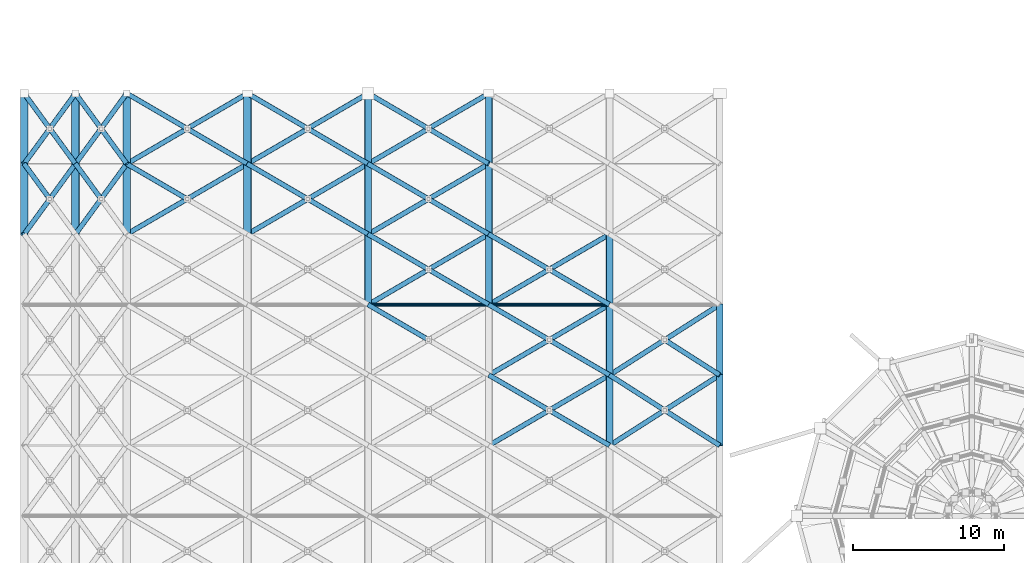
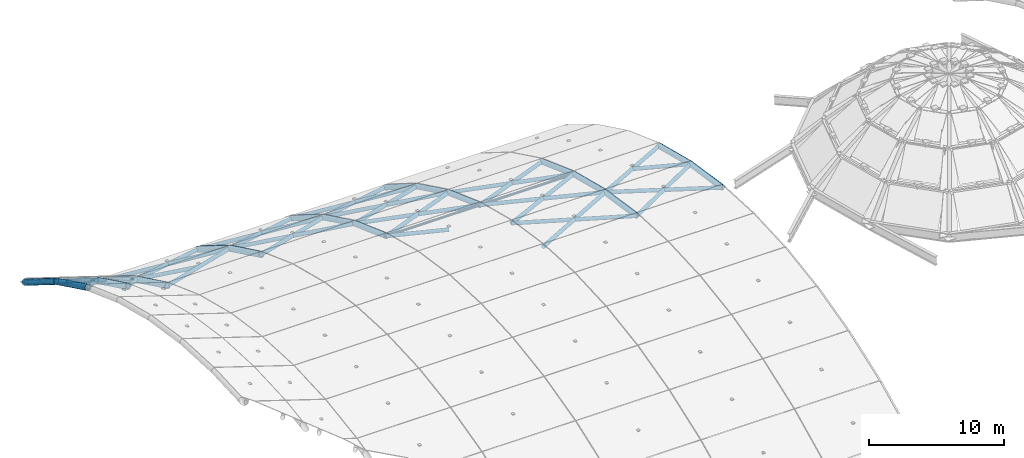
# One storey, part 6 of 21: 66 members.
"""IFC4 building model written with IfcOpenShell, lengths in metres."""

import ifcopenshell
import ifcopenshell.guid

model = None  # the IFC model being written
_history = None  # IfcOwnerHistory: only IFC2X3 demands one
_inside = {}  # id of a spatial element -> (the spatial element, [elements in it])
_under = {}  # id of a project, library or spatial element -> (it, [spatial elements below it])
_declared = {}  # id of a project -> (the project, [libraries it declares])
_typed = {}  # id of a type object -> (the type object, [elements of that type])
_made_of = {}  # id of a material, layer set ... -> (it, [elements and type objects made of it])


def new_model(schema):
    """Start an empty IFC model of exactly this schema.

    Asked for "IFC4X3", IfcOpenShell would pick the latest addendum, in which some entities
    have other attributes; the version numbers below select the first issue.
    IFC2X3 requires an IfcOwnerHistory on every rooted entity: one is made here for all.
    """
    global model, _history
    if schema == "IFC4X3":
        model = ifcopenshell.file(schema_version=(4, 3, 0, 0))
    else:
        model = ifcopenshell.file(schema=schema)
    _inside.clear()
    _under.clear()
    _declared.clear()
    _typed.clear()
    _made_of.clear()
    _history = None
    if model.schema == "IFC2X3":
        org = make("IfcOrganization", Name="unknown")
        user = make(
            "IfcPersonAndOrganization",
            ThePerson=make("IfcPerson", FamilyName="unknown"),
            TheOrganization=org,
        )
        app = make(
            "IfcApplication",
            ApplicationDeveloper=org,
            Version="unknown",
            ApplicationFullName="unknown",
            ApplicationIdentifier="unknown",
        )
        _history = make(
            "IfcOwnerHistory",
            OwningUser=user,
            OwningApplication=app,
            ChangeAction="ADDED",
            CreationDate=0,
        )
    return model


def make(cls, **values):
    """One entity of the class cls with the attributes given. An attribute that is None is left unset."""
    return model.create_entity(
        cls, **{name: value for name, value in values.items() if value is not None}
    )


def rooted(cls, **values):
    """An entity with a GlobalId (a new one), such as an element, a storey or a relation."""
    return make(cls, GlobalId=ifcopenshell.guid.new(), OwnerHistory=_history, **values)


def si_unit(unit_type, name, prefix=None):
    """IfcSIUnit, for example si_unit("LENGTHUNIT", "METRE", prefix="MILLI")."""
    return make("IfcSIUnit", UnitType=unit_type, Prefix=prefix, Name=name)


def assignment(units):
    """IfcUnitAssignment: the units of a project."""
    return None if units is None else make("IfcUnitAssignment", Units=units)


def point(xyz):
    """IfcCartesianPoint."""
    return None if xyz is None else make("IfcCartesianPoint", Coordinates=xyz)


def direction(xyz):
    """IfcDirection."""
    return None if xyz is None else make("IfcDirection", DirectionRatios=xyz)


def frame(location, z_axis=None, x_axis=None):
    """IfcAxis2Placement3D, a coordinate frame: its origin and axes. An axis left out is left unset."""
    return make(
        "IfcAxis2Placement3D",
        Location=point(location),
        Axis=direction(z_axis),
        RefDirection=direction(x_axis),
    )


def frame_2d(location, x_axis=None):
    """IfcAxis2Placement2D, a coordinate frame in the plane: its origin and x axis."""
    return make(
        "IfcAxis2Placement2D", Location=point(location), RefDirection=direction(x_axis)
    )


def origin():
    """The frame at (0, 0, 0) with its axes left unset."""
    return frame((0.0, 0.0, 0.0))


def origin_2d():
    """The frame at (0, 0) in the plane with its x axis left unset."""
    return frame_2d((0.0, 0.0))


def place(relative_to, where):
    """IfcLocalPlacement: puts the frame where relative to a parent placement (None: the world)."""
    return make(
        "IfcLocalPlacement", PlacementRelTo=relative_to, RelativePlacement=where
    )


def context(
    kind, dimensions, precision=None, world=None, true_north=None, identifier=None
):
    """IfcGeometricRepresentationContext, for example the 3D "Model" context."""
    return make(
        "IfcGeometricRepresentationContext",
        ContextIdentifier=identifier,
        ContextType=kind,
        CoordinateSpaceDimension=dimensions,
        Precision=precision,
        WorldCoordinateSystem=world,
        TrueNorth=true_north,
    )


def subcontext(parent, identifier, kind, view, scale=None):
    """IfcGeometricRepresentationSubContext, for example "Body" below "Model"."""
    return make(
        "IfcGeometricRepresentationSubContext",
        ContextIdentifier=identifier,
        ContextType=kind,
        ParentContext=parent,
        TargetScale=scale,
        TargetView=view,
    )


def project(units=None, contexts=None):
    """IfcProject with its units and contexts."""
    return rooted(
        "IfcProject",
        Name="project",
        RepresentationContexts=contexts,
        UnitsInContext=assignment(units),
    )


def spatial(cls, under=None, at=None, **own):
    """A site, building, storey or space (cls), placed at a placement, below another one or the project."""
    s = rooted(cls, ObjectPlacement=at, **own)
    if under is not None:
        _under.setdefault(under.id(), (under, []))[1].append(s)
    return s


def profile(cls, at=None, kind="AREA", **sizes):
    """A parametric profile (cls). Its sizes go by their IFC names, for example OverallWidth=200.0."""
    return make(cls, ProfileType=kind, Position=at, **sizes)


def hollow_circle(**sizes):
    """IfcCircleHollowProfileDef."""
    return profile("IfcCircleHollowProfileDef", **sizes)


def extrude(swept, where, along, depth):
    """IfcExtrudedAreaSolid: the profile swept, set in the frame where, extruded along a direction by depth."""
    return make(
        "IfcExtrudedAreaSolid",
        SweptArea=swept,
        Position=where,
        ExtrudedDirection=direction(along),
        Depth=depth,
    )


def shape(context_of_items, identifier, shape_type, items):
    """IfcShapeRepresentation: the items that make up one representation, for example the "Body"."""
    return make(
        "IfcShapeRepresentation",
        ContextOfItems=context_of_items,
        RepresentationIdentifier=identifier,
        RepresentationType=shape_type,
        Items=items,
    )


def material(Name=None, Category=None):
    """IfcMaterial."""
    return make("IfcMaterial", Name=Name, Category=Category)


def material_profile(
    of_material, cross_section, Name=None, Category=None, Priority=None
):
    """IfcMaterialProfile: a cross section and its material."""
    return make(
        "IfcMaterialProfile",
        Name=Name,
        Material=of_material,
        Profile=cross_section,
        Priority=Priority,
        Category=Category,
    )


def profile_set(profiles, Name=None, composite=None):
    """IfcMaterialProfileSet."""
    return make(
        "IfcMaterialProfileSet",
        Name=Name,
        MaterialProfiles=profiles,
        CompositeProfile=composite,
    )


def made_of(thing, what):
    """Note that an element or type object is made of a material, layer set ...; save() writes the relation."""
    if what is not None:
        _made_of.setdefault(what.id(), (what, []))[1].append(thing)
    return thing


def type_object(cls, material=None, **own):
    """A type object (cls), such as IfcWallType, which elements share."""
    return made_of(rooted(cls, **own), material)


def element(
    cls,
    number,
    at=None,
    inside=None,
    cuts=None,
    type_object=None,
    material=None,
    context=None,
    identifier="Body",
    shape_type=None,
    held_by="IfcProductDefinitionShape",
    body=None,
    shapes=None,
    **own,
):
    """One element of the class cls, such as IfcWall. Its Tag is "e" and its number.

    at: its placement. inside: the storey or other place that contains it. cuts: it is an
    opening in that element (IfcRelVoidsElement). A single representation is given by context,
    identifier, shape_type and body (its items); several are given by shapes. held_by: the class
    of the entity that holds the representations. save() writes the other relations.
    """
    e = rooted(cls, Tag="e%d" % number, ObjectPlacement=at, **own)
    if body is not None:
        shapes = [shape(context, identifier, shape_type, body)]
    if shapes is not None:
        e.Representation = make(held_by, Representations=shapes)
    if inside is not None:
        _inside.setdefault(inside.id(), (inside, []))[1].append(e)
    if cuts is not None:
        rooted(
            "IfcRelVoidsElement", RelatingBuildingElement=cuts, RelatedOpeningElement=e
        )
    if type_object is not None:
        _typed.setdefault(type_object.id(), (type_object, []))[1].append(e)
    return made_of(e, material)


def aggregate(whole, parts):
    """IfcRelAggregates: a whole, such as a stair, and the parts it consists of."""
    return rooted("IfcRelAggregates", RelatingObject=whole, RelatedObjects=parts)


def save(model, path):
    """Write the relations noted so far, then the file.

    IfcRelAggregates (storeys below a building ...), IfcRelContainedInSpatialStructure (elements
    in a storey), IfcRelDefinesByType, IfcRelAssociatesMaterial and IfcRelDeclares: one each for
    every whole, place, type object, material and project.
    """
    for whole, parts in _under.values():
        aggregate(whole, parts)
    for where, things in _inside.values():
        rooted(
            "IfcRelContainedInSpatialStructure",
            RelatedElements=things,
            RelatingStructure=where,
        )
    for kind, things in _typed.values():
        rooted("IfcRelDefinesByType", RelatedObjects=things, RelatingType=kind)
    for what, things in _made_of.values():
        rooted("IfcRelAssociatesMaterial", RelatedObjects=things, RelatingMaterial=what)
    for by, libraries in _declared.values():
        rooted("IfcRelDeclares", RelatingContext=by, RelatedDefinitions=libraries)
    model.write(path)


model = new_model("IFC4")

# Units and contexts
model_context = context("Model", 3, precision=1e-05, world=origin(), true_north=direction((0.0, 1.0)))
body_context = subcontext(model_context, "Body", "Model", "MODEL_VIEW")
ifc_project = project(units=[si_unit("LENGTHUNIT", "METRE"), si_unit("AREAUNIT", "SQUARE_METRE"), si_unit("VOLUMEUNIT", "CUBIC_METRE"), si_unit("PLANEANGLEUNIT", "RADIAN"), si_unit("MASSUNIT", "GRAM", prefix="KILO")], contexts=[model_context])

# Site, building, storey
site_placement = place(None, origin())
site = spatial("IfcSite", under=ifc_project, at=site_placement, CompositionType="ELEMENT")
building_placement = place(site_placement, origin())
building = spatial("IfcBuilding", under=site, at=building_placement, Name="Solmirada Galleria", CompositionType="ELEMENT")
storey_placement = place(building_placement, frame((0.0, 0.0, 37.5)))
storey = spatial("IfcBuildingStorey", under=building, at=storey_placement, Name="RF", CompositionType="ELEMENT", Elevation=37.5)

# Members
ifc_material = material(Name="Steel S355 / ASTM A500 Grade C", Category="steel")
ifc_material_profile_1 = material_profile(ifc_material, hollow_circle(Radius=0.109619140625, WallThickness=0.007568359375, at=origin_2d()), Name="HSS8.625X0.322")
ifc_profile_set_1 = profile_set([ifc_material_profile_1], Name="Steel S355 / ASTM A500 Grade C")
member_type_1 = type_object("IfcMemberType", Name="MEM-DOME-PURL", PredefinedType="PURLIN", material=ifc_profile_set_1)
for number, where, z_axis, x_axis, name in (
    (1, (56.0, 74.0, -2.471923828125), (1.0, 0.0, 0.0), (0.0, 1.0, 0.0), "Barrel gridshell longitudinal tie W04-09"),
    (2, (64.0, 74.0, -2.471923828125), (1.0, 0.0, 0.0), (0.0, 1.0, 0.0), "Barrel gridshell longitudinal tie W05-09"),
):
    element("IfcMember", number, at=place(storey_placement, frame(where, z_axis=z_axis, x_axis=x_axis)), inside=storey, type_object=member_type_1, Name=name, PredefinedType="PURLIN", context=body_context, shape_type="SweptSolid", body=[
        extrude(hollow_circle(Radius=0.109619140625, WallThickness=0.007568359375, at=origin_2d()), origin(), (0.0, 0.0, 1.0), 8.0),
    ])
ifc_material_profile_2 = material_profile(ifc_material, hollow_circle(Radius=0.25390625, WallThickness=0.01171875, at=origin_2d()), Name="HSS20.000X0.500")
ifc_profile_set_2 = profile_set([ifc_material_profile_2], Name="Steel S355 / ASTM A500 Grade C")
member_type_2 = type_object("IfcMemberType", Name="MEM-VAULT-ARCH1", PredefinedType="RAFTER", material=ifc_profile_set_2)
member_1_placement = place(storey_placement, frame((33.199951171875, 78.666748046875, -1.972412109375), z_axis=(0.0, 0.899303609311, -0.437324842971), x_axis=(-1.0, 0.0, 0.0)))
element("IfcMember", 3, at=member_1_placement, inside=storey, type_object=member_type_2, Name="Barrel vault arch rib W00-10", PredefinedType="RAFTER", context=body_context, shape_type="SweptSolid", body=[
    extrude(hollow_circle(Radius=0.25390625, WallThickness=0.01171875, at=origin_2d()), origin(), (0.0, 0.0, 1.0), 5.18896484375),
])
member_2_placement = place(storey_placement, frame((33.199951171875, 83.333251953125, -4.24169921875), z_axis=(0.0, 0.847876176286, -0.530194294279), x_axis=(-1.0, 0.0, 0.0)))
element("IfcMember", 4, at=member_2_placement, inside=storey, type_object=member_type_2, Name="Barrel vault arch rib W00-11", PredefinedType="RAFTER", context=body_context, shape_type="SweptSolid", body=[
    extrude(hollow_circle(Radius=0.25390625, WallThickness=0.01171875, at=origin_2d()), origin(), (0.0, 0.0, 1.0), 5.504150390625),
])
member_3_placement = place(storey_placement, frame((36.60009765625, 78.666748046875, -3.072509765625), z_axis=(0.0, 0.899322112871, -0.437286790678), x_axis=(-1.0, 0.0, 0.0)))
element("IfcMember", 5, at=member_3_placement, inside=storey, type_object=member_type_2, Name="Barrel vault arch rib W01-10", PredefinedType="RAFTER", context=body_context, shape_type="SweptSolid", body=[
    extrude(hollow_circle(Radius=0.25390625, WallThickness=0.01171875, at=origin_2d()), origin(), (0.0, 0.0, 1.0), 5.18896484375),
])
member_4_placement = place(storey_placement, frame((36.60009765625, 83.333251953125, -5.341552734375), z_axis=(0.0, 0.847856236134, -0.53022618084), x_axis=(-1.0, 0.0, 0.0)))
element("IfcMember", 6, at=member_4_placement, inside=storey, type_object=member_type_2, Name="Barrel vault arch rib W01-11", PredefinedType="RAFTER", context=body_context, shape_type="SweptSolid", body=[
    extrude(hollow_circle(Radius=0.25390625, WallThickness=0.01171875, at=origin_2d()), origin(), (0.0, 0.0, 1.0), 5.504150390625),
])
member_5_placement = place(storey_placement, frame((40.0, 78.666748046875, -4.17236328125), z_axis=(0.0, 0.899303609311, -0.437324842971), x_axis=(-1.0, 0.0, 0.0)))
element("IfcMember", 7, at=member_5_placement, inside=storey, type_object=member_type_2, Name="Barrel vault arch rib W02-10", PredefinedType="RAFTER", context=body_context, shape_type="SweptSolid", body=[
    extrude(hollow_circle(Radius=0.25390625, WallThickness=0.01171875, at=origin_2d()), origin(), (0.0, 0.0, 1.0), 5.18896484375),
])
member_6_placement = place(storey_placement, frame((40.0, 83.333251953125, -6.441650390625), z_axis=(0.0, 0.847856236134, -0.53022618084), x_axis=(-1.0, 0.0, 0.0)))
element("IfcMember", 8, at=member_6_placement, inside=storey, type_object=member_type_2, Name="Barrel vault arch rib W02-11", PredefinedType="RAFTER", context=body_context, shape_type="SweptSolid", body=[
    extrude(hollow_circle(Radius=0.25390625, WallThickness=0.01171875, at=origin_2d()), origin(), (0.0, 0.0, 1.0), 5.504150390625),
])
member_7_placement = place(storey_placement, frame((48.0, 78.666748046875, -4.17236328125), z_axis=(0.0, 0.899303609311, -0.437324842971), x_axis=(-1.0, 0.0, 0.0)))
element("IfcMember", 9, at=member_7_placement, inside=storey, type_object=member_type_2, Name="Barrel vault arch rib W03-10", PredefinedType="RAFTER", context=body_context, shape_type="SweptSolid", body=[
    extrude(hollow_circle(Radius=0.25390625, WallThickness=0.01171875, at=origin_2d()), origin(), (0.0, 0.0, 1.0), 5.18896484375),
])
member_8_placement = place(storey_placement, frame((48.0, 83.333251953125, -6.441650390625), z_axis=(0.0, 0.847856236134, -0.53022618084), x_axis=(-1.0, 0.0, 0.0)))
element("IfcMember", 10, at=member_8_placement, inside=storey, type_object=member_type_2, Name="Barrel vault arch rib W03-11", PredefinedType="RAFTER", context=body_context, shape_type="SweptSolid", body=[
    extrude(hollow_circle(Radius=0.25390625, WallThickness=0.01171875, at=origin_2d()), origin(), (0.0, 0.0, 1.0), 5.504150390625),
])
ifc_material_profile_3 = material_profile(ifc_material, hollow_circle(Radius=0.228515625, WallThickness=0.01171875, at=origin_2d()), Name="HSS18.000X0.500")
ifc_profile_set_3 = profile_set([ifc_material_profile_3], Name="Steel S355 / ASTM A500 Grade C")
member_type_3 = type_object("IfcMemberType", Name="MEM-VAULT-ARCH2", PredefinedType="RAFTER", material=ifc_profile_set_3)
member_9_placement = place(storey_placement, frame((56.0, 74.0, -2.471923828125), z_axis=(0.0, 0.939570777515, -0.342354719612), x_axis=(-1.0, 0.0, 0.0)))
element("IfcMember", 11, at=member_9_placement, inside=storey, type_object=member_type_3, Name="Barrel vault arch rib W04-09", PredefinedType="RAFTER", context=body_context, shape_type="SweptSolid", body=[
    extrude(hollow_circle(Radius=0.228515625, WallThickness=0.01171875, at=origin_2d()), origin(), (0.0, 0.0, 1.0), 4.966796875),
])
member_10_placement = place(storey_placement, frame((56.0, 78.666748046875, -4.17236328125), z_axis=(0.0, 0.899303609311, -0.437324842971), x_axis=(-1.0, 0.0, 0.0)))
element("IfcMember", 12, at=member_10_placement, inside=storey, type_object=member_type_3, Name="Barrel vault arch rib W04-10", PredefinedType="RAFTER", context=body_context, shape_type="SweptSolid", body=[
    extrude(hollow_circle(Radius=0.228515625, WallThickness=0.01171875, at=origin_2d()), origin(), (0.0, 0.0, 1.0), 5.18896484375),
])
member_11_placement = place(storey_placement, frame((56.0, 83.333251953125, -6.441650390625), z_axis=(0.0, 0.847856236134, -0.53022618084), x_axis=(-1.0, 0.0, 0.0)))
element("IfcMember", 13, at=member_11_placement, inside=storey, type_object=member_type_3, Name="Barrel vault arch rib W04-11", PredefinedType="RAFTER", context=body_context, shape_type="SweptSolid", body=[
    extrude(hollow_circle(Radius=0.228515625, WallThickness=0.01171875, at=origin_2d()), origin(), (0.0, 0.0, 1.0), 5.504150390625),
])
member_12_placement = place(storey_placement, frame((64.0, 74.0, -2.471923828125), z_axis=(0.0, 0.939570777515, -0.342354719612), x_axis=(-1.0, 0.0, 0.0)))
element("IfcMember", 14, at=member_12_placement, inside=storey, type_object=member_type_3, Name="Barrel vault arch rib W05-09", PredefinedType="RAFTER", context=body_context, shape_type="SweptSolid", body=[
    extrude(hollow_circle(Radius=0.228515625, WallThickness=0.01171875, at=origin_2d()), origin(), (0.0, 0.0, 1.0), 4.966796875),
])
member_13_placement = place(storey_placement, frame((64.0, 78.666748046875, -4.17236328125), z_axis=(0.0, 0.899303609311, -0.437324842971), x_axis=(-1.0, 0.0, 0.0)))
element("IfcMember", 15, at=member_13_placement, inside=storey, type_object=member_type_3, Name="Barrel vault arch rib W05-10", PredefinedType="RAFTER", context=body_context, shape_type="SweptSolid", body=[
    extrude(hollow_circle(Radius=0.228515625, WallThickness=0.01171875, at=origin_2d()), origin(), (0.0, 0.0, 1.0), 5.18896484375),
])
member_14_placement = place(storey_placement, frame((64.0, 83.333251953125, -6.441650390625), z_axis=(0.0, 0.847856236134, -0.53022618084), x_axis=(-1.0, 0.0, 0.0)))
element("IfcMember", 16, at=member_14_placement, inside=storey, type_object=member_type_3, Name="Barrel vault arch rib W05-11", PredefinedType="RAFTER", context=body_context, shape_type="SweptSolid", body=[
    extrude(hollow_circle(Radius=0.228515625, WallThickness=0.01171875, at=origin_2d()), origin(), (0.0, 0.0, 1.0), 5.504150390625),
])
member_15_placement = place(storey_placement, frame((72.0, 64.666748046875, -0.5908203125), z_axis=(0.0, 0.988997751156, -0.14793055198), x_axis=(-1.0, 0.0, 0.0)))
element("IfcMember", 17, at=member_15_placement, inside=storey, type_object=member_type_3, Name="Barrel vault arch rib W06-07", PredefinedType="RAFTER", context=body_context, shape_type="SweptSolid", body=[
    extrude(hollow_circle(Radius=0.228515625, WallThickness=0.01171875, at=origin_2d()), origin(), (0.0, 0.0, 1.0), 4.718505859375),
])
member_16_placement = place(storey_placement, frame((72.0, 69.333251953125, -1.288818359375), z_axis=(0.0, 0.969334768515, -0.245743985782), x_axis=(-1.0, 0.0, 0.0)))
element("IfcMember", 18, at=member_16_placement, inside=storey, type_object=member_type_3, Name="Barrel vault arch rib W06-08", PredefinedType="RAFTER", context=body_context, shape_type="SweptSolid", body=[
    extrude(hollow_circle(Radius=0.228515625, WallThickness=0.01171875, at=origin_2d()), origin(), (0.0, 0.0, 1.0), 4.814453125),
])
member_17_placement = place(storey_placement, frame((72.0, 74.0, -2.471923828125), z_axis=(0.0, 0.939570777515, -0.342354719612), x_axis=(-1.0, 0.0, 0.0)))
element("IfcMember", 19, at=member_17_placement, inside=storey, type_object=member_type_3, Name="Barrel vault arch rib W06-09", PredefinedType="RAFTER", context=body_context, shape_type="SweptSolid", body=[
    extrude(hollow_circle(Radius=0.228515625, WallThickness=0.01171875, at=origin_2d()), origin(), (0.0, 0.0, 1.0), 4.966796875),
])
member_18_placement = place(storey_placement, frame((79.300048828125, 64.666748046875, -0.5908203125), z_axis=(0.0, 0.988997751156, -0.14793055198), x_axis=(-1.0, 0.0, 0.0)))
element("IfcMember", 20, at=member_18_placement, inside=storey, type_object=member_type_3, Name="Barrel vault arch rib W07-07", PredefinedType="RAFTER", context=body_context, shape_type="SweptSolid", body=[
    extrude(hollow_circle(Radius=0.228515625, WallThickness=0.01171875, at=origin_2d()), origin(), (0.0, 0.0, 1.0), 4.718505859375),
])
member_19_placement = place(storey_placement, frame((79.300048828125, 69.333251953125, -1.288818359375), z_axis=(0.0, 0.969334768515, -0.245743985782), x_axis=(-1.0, 0.0, 0.0)))
element("IfcMember", 21, at=member_19_placement, inside=storey, type_object=member_type_3, Name="Barrel vault arch rib W07-08", PredefinedType="RAFTER", context=body_context, shape_type="SweptSolid", body=[
    extrude(hollow_circle(Radius=0.228515625, WallThickness=0.01171875, at=origin_2d()), origin(), (0.0, 0.0, 1.0), 4.814453125),
])
ifc_material_profile_4 = material_profile(ifc_material, hollow_circle(Radius=0.162109375, WallThickness=0.0087890625, at=origin_2d()), Name="HSS12.750X0.375")
ifc_profile_set_4 = profile_set([ifc_material_profile_4], Name="Steel S355 / ASTM A500 Grade C")
member_type_4 = type_object("IfcMemberType", Name="MEM-VAULT-DIAG", PredefinedType="BRACE", material=ifc_profile_set_4)
member_20_placement = place(storey_placement, frame((33.199951171875, 78.666748046875, -1.972412109375), z_axis=(0.508628161999, 0.698062661625, -0.503989993221), x_axis=(-0.808214646261, 0.588888007663, 0.0)))
element("IfcMember", 22, at=member_20_placement, inside=storey, type_object=member_type_4, Name="Barrel gridshell continuous diagonal W00-10", PredefinedType="BRACE", context=body_context, shape_type="SweptSolid", body=[
    extrude(hollow_circle(Radius=0.162109375, WallThickness=0.0087890625, at=origin_2d()), origin(), (0.0, 0.0, 1.0), 6.684814453125),
])
member_21_placement = place(storey_placement, frame((33.199951171875, 83.333251953125, -4.24169921875), z_axis=(0.577140925583, -0.792149335889, 0.198513933185), x_axis=(0.808234771228, 0.58886038632, 0.0)))
element("IfcMember", 23, at=member_21_placement, inside=storey, type_object=member_type_4, Name="Barrel gridshell split diagonal B1 W00-10", PredefinedType="BRACE", context=body_context, shape_type="SweptSolid", body=[
    extrude(hollow_circle(Radius=0.162109375, WallThickness=0.0087890625, at=origin_2d()), origin(), (0.0, 0.0, 1.0), 2.945556640625),
])
member_22_placement = place(storey_placement, frame((33.199951171875, 83.333251953125, -4.24169921875), z_axis=(0.483342409582, 0.663394137945, -0.571216537611), x_axis=(-0.808229309107, 0.58886788323, 0.0)))
element("IfcMember", 24, at=member_22_placement, inside=storey, type_object=member_type_4, Name="Barrel gridshell continuous diagonal W00-11", PredefinedType="BRACE", context=body_context, shape_type="SweptSolid", body=[
    extrude(hollow_circle(Radius=0.162109375, WallThickness=0.0087890625, at=origin_2d()), origin(), (0.0, 0.0, 1.0), 7.03466796875),
])
member_23_placement = place(storey_placement, frame((33.199951171875, 88.0, -7.159912109375), z_axis=(0.561664152849, -0.770906837395, 0.30039312153), x_axis=(0.808234771228, 0.58886038632, 0.0)))
element("IfcMember", 25, at=member_23_placement, inside=storey, type_object=member_type_4, Name="Barrel gridshell split diagonal B1 W00-11", PredefinedType="BRACE", context=body_context, shape_type="SweptSolid", body=[
    extrude(hollow_circle(Radius=0.162109375, WallThickness=0.0087890625, at=origin_2d()), origin(), (0.0, 0.0, 1.0), 3.026611328125),
])
member_24_placement = place(storey_placement, frame((34.89990234375, 85.666748046875, -6.250732421875), z_axis=(0.561684440721, -0.7709046359, 0.300360835331), x_axis=(0.808223847562, 0.588875379203, 0.0)))
element("IfcMember", 26, at=member_24_placement, inside=storey, type_object=member_type_4, Name="Barrel gridshell split diagonal B2 W00-11", PredefinedType="BRACE", context=body_context, shape_type="SweptSolid", body=[
    extrude(hollow_circle(Radius=0.162109375, WallThickness=0.0087890625, at=origin_2d()), origin(), (0.0, 0.0, 1.0), 3.02685546875),
])
member_25_placement = place(storey_placement, frame((36.60009765625, 78.666748046875, -3.072509765625), z_axis=(0.508601088312, 0.698075628465, -0.50399935507), x_axis=(-0.808234771228, 0.58886038632, 0.0)))
element("IfcMember", 27, at=member_25_placement, inside=storey, type_object=member_type_4, Name="Barrel gridshell continuous diagonal W01-10", PredefinedType="BRACE", context=body_context, shape_type="SweptSolid", body=[
    extrude(hollow_circle(Radius=0.162109375, WallThickness=0.0087890625, at=origin_2d()), origin(), (0.0, 0.0, 1.0), 6.684814453125),
])
member_26_placement = place(storey_placement, frame((36.60009765625, 83.333251953125, -5.341552734375), z_axis=(0.57715042022, -0.792162367664, 0.198434310787), x_axis=(0.808234771228, 0.58886038632, 0.0)))
element("IfcMember", 28, at=member_26_placement, inside=storey, type_object=member_type_4, Name="Barrel gridshell split diagonal B1 W01-10", PredefinedType="BRACE", context=body_context, shape_type="SweptSolid", body=[
    extrude(hollow_circle(Radius=0.162109375, WallThickness=0.0087890625, at=origin_2d()), origin(), (0.0, 0.0, 1.0), 2.9453125),
])
member_27_placement = place(storey_placement, frame((36.60009765625, 83.333251953125, -5.341552734375), z_axis=(0.483306229637, 0.663392113996, -0.571249500203), x_axis=(-0.808249433065, 0.588840261829, 0.0)))
element("IfcMember", 29, at=member_27_placement, inside=storey, type_object=member_type_4, Name="Barrel gridshell continuous diagonal W01-11", PredefinedType="BRACE", context=body_context, shape_type="SweptSolid", body=[
    extrude(hollow_circle(Radius=0.162109375, WallThickness=0.0087890625, at=origin_2d()), origin(), (0.0, 0.0, 1.0), 7.03466796875),
])
member_28_placement = place(storey_placement, frame((36.60009765625, 88.0, -8.260009765625), z_axis=(0.561664152849, -0.770906837395, 0.30039312153), x_axis=(0.808234771228, 0.58886038632, 0.0)))
element("IfcMember", 30, at=member_28_placement, inside=storey, type_object=member_type_4, Name="Barrel gridshell split diagonal B1 W01-11", PredefinedType="BRACE", context=body_context, shape_type="SweptSolid", body=[
    extrude(hollow_circle(Radius=0.162109375, WallThickness=0.0087890625, at=origin_2d()), origin(), (0.0, 0.0, 1.0), 3.026611328125),
])
member_29_placement = place(storey_placement, frame((38.300048828125, 85.666748046875, -7.350830078125), z_axis=(0.56162922747, -0.770939559983, 0.300374442496), x_axis=(0.808264093398, 0.588820138348, 0.0)))
element("IfcMember", 31, at=member_29_placement, inside=storey, type_object=member_type_4, Name="Barrel gridshell split diagonal B2 W01-11", PredefinedType="BRACE", context=body_context, shape_type="SweptSolid", body=[
    extrude(hollow_circle(Radius=0.162109375, WallThickness=0.0087890625, at=origin_2d()), origin(), (0.0, 0.0, 1.0), 3.02685546875),
])
member_30_placement = place(storey_placement, frame((40.0, 78.666748046875, -4.17236328125), z_axis=(0.838969414701, 0.489381756366, -0.237982809743), x_axis=(-0.503857913421, 0.863786549492, 0.0)))
element("IfcMember", 32, at=member_30_placement, inside=storey, type_object=member_type_4, Name="Barrel gridshell continuous diagonal W02-10", PredefinedType="BRACE", context=body_context, shape_type="SweptSolid", body=[
    extrude(hollow_circle(Radius=0.162109375, WallThickness=0.0087890625, at=origin_2d()), origin(), (0.0, 0.0, 1.0), 9.535400390625),
])
member_31_placement = place(storey_placement, frame((40.0, 83.333251953125, -6.441650390625), z_axis=(0.838964302507, -0.489378774357, 0.238006962772), x_axis=(0.503857913421, 0.863786549492, 0.0)))
element("IfcMember", 33, at=member_31_placement, inside=storey, type_object=member_type_4, Name="Barrel gridshell split diagonal B1 W02-10", PredefinedType="BRACE", context=body_context, shape_type="SweptSolid", body=[
    extrude(hollow_circle(Radius=0.162109375, WallThickness=0.0087890625, at=origin_2d()), origin(), (0.0, 0.0, 1.0), 4.767822265625),
])
member_32_placement = place(storey_placement, frame((40.0, 83.333251953125, -6.441650390625), z_axis=(0.823841216452, 0.480582423477, -0.300543148849), x_axis=(-0.503877581445, 0.863775076578, 0.0)))
element("IfcMember", 34, at=member_32_placement, inside=storey, type_object=member_type_4, Name="Barrel gridshell continuous diagonal W02-11", PredefinedType="BRACE", context=body_context, shape_type="SweptSolid", body=[
    extrude(hollow_circle(Radius=0.162109375, WallThickness=0.0087890625, at=origin_2d()), origin(), (0.0, 0.0, 1.0), 9.710693359375),
])
member_33_placement = place(storey_placement, frame((40.0, 88.0, -9.360107421875), z_axis=(0.823851170541, -0.480563088187, 0.300546780171), x_axis=(0.503857913421, 0.863786549492, 0.0)))
element("IfcMember", 35, at=member_33_placement, inside=storey, type_object=member_type_4, Name="Barrel gridshell split diagonal B1 W02-11", PredefinedType="BRACE", context=body_context, shape_type="SweptSolid", body=[
    extrude(hollow_circle(Radius=0.162109375, WallThickness=0.0087890625, at=origin_2d()), origin(), (0.0, 0.0, 1.0), 4.855224609375),
])
member_34_placement = place(storey_placement, frame((44.0, 85.666748046875, -7.90087890625), z_axis=(0.823831262204, -0.480601758066, 0.300539517468), x_axis=(0.503897248685, 0.863763603521, 0.0)))
element("IfcMember", 36, at=member_34_placement, inside=storey, type_object=member_type_4, Name="Barrel gridshell split diagonal B2 W02-11", PredefinedType="BRACE", context=body_context, shape_type="SweptSolid", body=[
    extrude(hollow_circle(Radius=0.162109375, WallThickness=0.0087890625, at=origin_2d()), origin(), (0.0, 0.0, 1.0), 4.85546875),
])
member_35_placement = place(storey_placement, frame((48.0, 78.666748046875, -4.17236328125), z_axis=(0.838969414701, 0.489381756366, -0.237982809743), x_axis=(-0.503857913421, 0.863786549492, 0.0)))
element("IfcMember", 37, at=member_35_placement, inside=storey, type_object=member_type_4, Name="Barrel gridshell continuous diagonal W03-10", PredefinedType="BRACE", context=body_context, shape_type="SweptSolid", body=[
    extrude(hollow_circle(Radius=0.162109375, WallThickness=0.0087890625, at=origin_2d()), origin(), (0.0, 0.0, 1.0), 9.535400390625),
])
for number, where, z_axis, x_axis, name in (
    (38, (48.0, 83.333251953125, -6.441650390625), (0.838964302507, -0.489378774357, 0.238006962772), (0.503857913421, 0.863786549492, 0.0), "Barrel gridshell split diagonal B1 W03-10"),
    (39, (52.0, 81.0, -5.306884765625), (0.838974526438, -0.489384738108, 0.237958656272), (0.503857913421, 0.863786549492, 0.0), "Barrel gridshell split diagonal B2 W03-10"),
):
    element("IfcMember", number, at=place(storey_placement, frame(where, z_axis=z_axis, x_axis=x_axis)), inside=storey, type_object=member_type_4, Name=name, PredefinedType="BRACE", context=body_context, shape_type="SweptSolid", body=[
        extrude(hollow_circle(Radius=0.162109375, WallThickness=0.0087890625, at=origin_2d()), origin(), (0.0, 0.0, 1.0), 4.767822265625),
    ])
member_36_placement = place(storey_placement, frame((48.0, 83.333251953125, -6.441650390625), z_axis=(0.823841216452, 0.480582423477, -0.300543148849), x_axis=(-0.503877581445, 0.863775076578, 0.0)))
element("IfcMember", 40, at=member_36_placement, inside=storey, type_object=member_type_4, Name="Barrel gridshell continuous diagonal W03-11", PredefinedType="BRACE", context=body_context, shape_type="SweptSolid", body=[
    extrude(hollow_circle(Radius=0.162109375, WallThickness=0.0087890625, at=origin_2d()), origin(), (0.0, 0.0, 1.0), 9.710693359375),
])
member_37_placement = place(storey_placement, frame((48.0, 88.0, -9.360107421875), z_axis=(0.823851170541, -0.480563088187, 0.300546780171), x_axis=(0.503857913421, 0.863786549492, 0.0)))
element("IfcMember", 41, at=member_37_placement, inside=storey, type_object=member_type_4, Name="Barrel gridshell split diagonal B1 W03-11", PredefinedType="BRACE", context=body_context, shape_type="SweptSolid", body=[
    extrude(hollow_circle(Radius=0.162109375, WallThickness=0.0087890625, at=origin_2d()), origin(), (0.0, 0.0, 1.0), 4.855224609375),
])
member_38_placement = place(storey_placement, frame((52.0, 85.666748046875, -7.90087890625), z_axis=(0.823831262204, -0.480601758066, 0.300539517468), x_axis=(0.503897248685, 0.863763603521, 0.0)))
element("IfcMember", 42, at=member_38_placement, inside=storey, type_object=member_type_4, Name="Barrel gridshell split diagonal B2 W03-11", PredefinedType="BRACE", context=body_context, shape_type="SweptSolid", body=[
    extrude(hollow_circle(Radius=0.162109375, WallThickness=0.0087890625, at=origin_2d()), origin(), (0.0, 0.0, 1.0), 4.85546875),
])
member_39_placement = place(storey_placement, frame((56.0, 74.0, -2.471923828125), z_axis=(0.856823806881, -0.499796455222, 0.126714116459), x_axis=(0.503857913421, 0.863786549492, 0.0)))
element("IfcMember", 43, at=member_39_placement, inside=storey, type_object=member_type_4, Name="Barrel gridshell split diagonal B1 W04-08", PredefinedType="BRACE", context=body_context, shape_type="SweptSolid", body=[
    extrude(hollow_circle(Radius=0.162109375, WallThickness=0.0087890625, at=origin_2d()), origin(), (0.0, 0.0, 1.0), 4.66845703125),
])
member_40_placement = place(storey_placement, frame((56.0, 74.0, -2.471923828125), z_axis=(0.84957466948, 0.495593866184, -0.180581285795), x_axis=(-0.503877581445, 0.863775076578, 0.0)))
element("IfcMember", 44, at=member_40_placement, inside=storey, type_object=member_type_4, Name="Barrel gridshell continuous diagonal W04-09", PredefinedType="BRACE", context=body_context, shape_type="SweptSolid", body=[
    extrude(hollow_circle(Radius=0.162109375, WallThickness=0.0087890625, at=origin_2d()), origin(), (0.0, 0.0, 1.0), 9.41650390625),
])
for number, where, z_axis, x_axis, name in (
    (45, (56.0, 78.666748046875, -4.17236328125), (0.849567730246, -0.495615744977, 0.180553884077), (0.503897248685, 0.863763603521, 0.0), "Barrel gridshell split diagonal B1 W04-09"),
    (46, (60.0, 76.333251953125, -3.322265625), (0.849581607741, -0.4955719864, 0.18060868773), (0.503857913421, 0.863786549492, 0.0), "Barrel gridshell split diagonal B2 W04-09"),
):
    element("IfcMember", number, at=place(storey_placement, frame(where, z_axis=z_axis, x_axis=x_axis)), inside=storey, type_object=member_type_4, Name=name, PredefinedType="BRACE", context=body_context, shape_type="SweptSolid", body=[
        extrude(hollow_circle(Radius=0.162109375, WallThickness=0.0087890625, at=origin_2d()), origin(), (0.0, 0.0, 1.0), 4.708251953125),
    ])
member_41_placement = place(storey_placement, frame((56.0, 78.666748046875, -4.17236328125), z_axis=(0.838969414701, 0.489381756366, -0.237982809743), x_axis=(-0.503857913421, 0.863786549492, 0.0)))
element("IfcMember", 47, at=member_41_placement, inside=storey, type_object=member_type_4, Name="Barrel gridshell continuous diagonal W04-10", PredefinedType="BRACE", context=body_context, shape_type="SweptSolid", body=[
    extrude(hollow_circle(Radius=0.162109375, WallThickness=0.0087890625, at=origin_2d()), origin(), (0.0, 0.0, 1.0), 9.535400390625),
])
for number, where, z_axis, x_axis, name in (
    (48, (56.0, 83.333251953125, -6.441650390625), (0.838964302507, -0.489378774357, 0.238006962772), (0.503857913421, 0.863786549492, 0.0), "Barrel gridshell split diagonal B1 W04-10"),
    (49, (60.0, 81.0, -5.306884765625), (0.838974526438, -0.489384738108, 0.237958656272), (0.503857913421, 0.863786549492, 0.0), "Barrel gridshell split diagonal B2 W04-10"),
):
    element("IfcMember", number, at=place(storey_placement, frame(where, z_axis=z_axis, x_axis=x_axis)), inside=storey, type_object=member_type_4, Name=name, PredefinedType="BRACE", context=body_context, shape_type="SweptSolid", body=[
        extrude(hollow_circle(Radius=0.162109375, WallThickness=0.0087890625, at=origin_2d()), origin(), (0.0, 0.0, 1.0), 4.767822265625),
    ])
member_42_placement = place(storey_placement, frame((56.0, 83.333251953125, -6.441650390625), z_axis=(0.823841216452, 0.480582423477, -0.300543148849), x_axis=(-0.503877581445, 0.863775076578, 0.0)))
element("IfcMember", 50, at=member_42_placement, inside=storey, type_object=member_type_4, Name="Barrel gridshell continuous diagonal W04-11", PredefinedType="BRACE", context=body_context, shape_type="SweptSolid", body=[
    extrude(hollow_circle(Radius=0.162109375, WallThickness=0.0087890625, at=origin_2d()), origin(), (0.0, 0.0, 1.0), 9.710693359375),
])
member_43_placement = place(storey_placement, frame((56.0, 88.0, -9.360107421875), z_axis=(0.823851170541, -0.480563088187, 0.300546780171), x_axis=(0.503857913421, 0.863786549492, 0.0)))
element("IfcMember", 51, at=member_43_placement, inside=storey, type_object=member_type_4, Name="Barrel gridshell split diagonal B1 W04-11", PredefinedType="BRACE", context=body_context, shape_type="SweptSolid", body=[
    extrude(hollow_circle(Radius=0.162109375, WallThickness=0.0087890625, at=origin_2d()), origin(), (0.0, 0.0, 1.0), 4.855224609375),
])
member_44_placement = place(storey_placement, frame((60.0, 85.666748046875, -7.90087890625), z_axis=(0.823831262204, -0.480601758066, 0.300539517468), x_axis=(0.503897248685, 0.863763603521, 0.0)))
element("IfcMember", 52, at=member_44_placement, inside=storey, type_object=member_type_4, Name="Barrel gridshell split diagonal B2 W04-11", PredefinedType="BRACE", context=body_context, shape_type="SweptSolid", body=[
    extrude(hollow_circle(Radius=0.162109375, WallThickness=0.0087890625, at=origin_2d()), origin(), (0.0, 0.0, 1.0), 4.85546875),
])
member_45_placement = place(storey_placement, frame((64.0, 64.666748046875, -0.5908203125), z_axis=(0.861343836227, 0.502433047047, -0.075152039422), x_axis=(-0.503857913421, 0.863786549492, 0.0)))
element("IfcMember", 53, at=member_45_placement, inside=storey, type_object=member_type_4, Name="Barrel gridshell continuous diagonal W05-07", PredefinedType="BRACE", context=body_context, shape_type="SweptSolid", body=[
    extrude(hollow_circle(Radius=0.162109375, WallThickness=0.0087890625, at=origin_2d()), origin(), (0.0, 0.0, 1.0), 9.287841796875),
])
for number, where, z_axis, x_axis, name in (
    (54, (64.0, 69.333251953125, -1.288818359375), (0.861342134387, -0.502432054342, 0.075178177013), (0.503857913421, 0.863786549492, 0.0), "Barrel gridshell split diagonal B1 W05-07"),
    (55, (68.0, 67.0, -0.939697265625), (0.861345537481, -0.502434039411, 0.075125901676), (0.503857913421, 0.863786549492, 0.0), "Barrel gridshell split diagonal B2 W05-07"),
):
    element("IfcMember", number, at=place(storey_placement, frame(where, z_axis=z_axis, x_axis=x_axis)), inside=storey, type_object=member_type_4, Name=name, PredefinedType="BRACE", context=body_context, shape_type="SweptSolid", body=[
        extrude(hollow_circle(Radius=0.162109375, WallThickness=0.0087890625, at=origin_2d()), origin(), (0.0, 0.0, 1.0), 4.643798828125),
    ])
member_46_placement = place(storey_placement, frame((64.0, 69.333251953125, -1.288818359375), z_axis=(0.856812609173, 0.499816071299, -0.126712460451), x_axis=(-0.503877581445, 0.863775076578, 0.0)))
element("IfcMember", 56, at=member_46_placement, inside=storey, type_object=member_type_4, Name="Barrel gridshell continuous diagonal W05-08", PredefinedType="BRACE", context=body_context, shape_type="SweptSolid", body=[
    extrude(hollow_circle(Radius=0.162109375, WallThickness=0.0087890625, at=origin_2d()), origin(), (0.0, 0.0, 1.0), 9.3369140625),
])
for number, where, z_axis, x_axis, name in (
    (57, (64.0, 74.0, -2.471923828125), (0.856823806881, -0.499796455222, 0.126714116459), (0.503857913421, 0.863786549492, 0.0), "Barrel gridshell split diagonal B1 W05-08"),
    (58, (68.0, 71.666748046875, -1.88037109375), (0.856801411318, -0.499835686608, 0.12671080442), (0.503897248685, 0.863763603521, 0.0), "Barrel gridshell split diagonal B2 W05-08"),
):
    element("IfcMember", number, at=place(storey_placement, frame(where, z_axis=z_axis, x_axis=x_axis)), inside=storey, type_object=member_type_4, Name=name, PredefinedType="BRACE", context=body_context, shape_type="SweptSolid", body=[
        extrude(hollow_circle(Radius=0.162109375, WallThickness=0.0087890625, at=origin_2d()), origin(), (0.0, 0.0, 1.0), 4.66845703125),
    ])
member_47_placement = place(storey_placement, frame((64.0, 74.0, -2.471923828125), z_axis=(0.84957466948, 0.495593866184, -0.180581285795), x_axis=(-0.503877581445, 0.863775076578, 0.0)))
element("IfcMember", 59, at=member_47_placement, inside=storey, type_object=member_type_4, Name="Barrel gridshell continuous diagonal W05-09", PredefinedType="BRACE", context=body_context, shape_type="SweptSolid", body=[
    extrude(hollow_circle(Radius=0.162109375, WallThickness=0.0087890625, at=origin_2d()), origin(), (0.0, 0.0, 1.0), 9.41650390625),
])
for number, where, z_axis, x_axis, name in (
    (60, (64.0, 78.666748046875, -4.17236328125), (0.849567730246, -0.495615744977, 0.180553884077), (0.503897248685, 0.863763603521, 0.0), "Barrel gridshell split diagonal B1 W05-09"),
    (61, (68.0, 76.333251953125, -3.322265625), (0.849581607741, -0.4955719864, 0.18060868773), (0.503857913421, 0.863786549492, 0.0), "Barrel gridshell split diagonal B2 W05-09"),
):
    element("IfcMember", number, at=place(storey_placement, frame(where, z_axis=z_axis, x_axis=x_axis)), inside=storey, type_object=member_type_4, Name=name, PredefinedType="BRACE", context=body_context, shape_type="SweptSolid", body=[
        extrude(hollow_circle(Radius=0.162109375, WallThickness=0.0087890625, at=origin_2d()), origin(), (0.0, 0.0, 1.0), 4.708251953125),
    ])
member_48_placement = place(storey_placement, frame((72.0, 64.666748046875, -0.5908203125), z_axis=(0.839839964864, 0.536861679824, -0.080301744408), x_axis=(-0.538601037793, 0.842560930787, 0.0)))
element("IfcMember", 62, at=member_48_placement, inside=storey, type_object=member_type_4, Name="Barrel gridshell continuous diagonal W06-07", PredefinedType="BRACE", context=body_context, shape_type="SweptSolid", body=[
    extrude(hollow_circle(Radius=0.162109375, WallThickness=0.0087890625, at=origin_2d()), origin(), (0.0, 0.0, 1.0), 8.692138671875),
])
member_49_placement = place(storey_placement, frame((72.0, 69.333251953125, -1.288818359375), z_axis=(0.839829793479, -0.536873132861, 0.080331545463), x_axis=(0.538613825489, 0.842552756207, 0.0)))
element("IfcMember", 63, at=member_49_placement, inside=storey, type_object=member_type_4, Name="Barrel gridshell split diagonal B1 W06-07", PredefinedType="BRACE", context=body_context, shape_type="SweptSolid", body=[
    extrude(hollow_circle(Radius=0.162109375, WallThickness=0.0087890625, at=origin_2d()), origin(), (0.0, 0.0, 1.0), 4.345947265625),
])
member_50_placement = place(storey_placement, frame((75.64990234375, 67.0, -0.939697265625), z_axis=(0.839850134871, -0.536850226672, 0.080271944534), x_axis=(0.53858825058, 0.842569104784, 0.0)))
element("IfcMember", 64, at=member_50_placement, inside=storey, type_object=member_type_4, Name="Barrel gridshell split diagonal B2 W06-07", PredefinedType="BRACE", context=body_context, shape_type="SweptSolid", body=[
    extrude(hollow_circle(Radius=0.162109375, WallThickness=0.0087890625, at=origin_2d()), origin(), (0.0, 0.0, 1.0), 4.34619140625),
])
member_51_placement = place(storey_placement, frame((72.0, 69.333251953125, -1.288818359375), z_axis=(0.834801251458, 0.533668637223, -0.135294701333), x_axis=(-0.538621041402, 0.842548143289, 0.0)))
element("IfcMember", 65, at=member_51_placement, inside=storey, type_object=member_type_4, Name="Barrel gridshell continuous diagonal W06-08", PredefinedType="BRACE", context=body_context, shape_type="SweptSolid", body=[
    extrude(hollow_circle(Radius=0.162109375, WallThickness=0.0087890625, at=origin_2d()), origin(), (0.0, 0.0, 1.0), 8.74462890625),
])
member_52_placement = place(storey_placement, frame((75.64990234375, 71.666748046875, -1.88037109375), z_axis=(0.834797275915, -0.533676166356, 0.135289532442), x_axis=(0.538628256713, 0.842543530668, 0.0)))
element("IfcMember", 66, at=member_52_placement, inside=storey, type_object=member_type_4, Name="Barrel gridshell split diagonal B2 W06-08", PredefinedType="BRACE", context=body_context, shape_type="SweptSolid", body=[
    extrude(hollow_circle(Radius=0.162109375, WallThickness=0.0087890625, at=origin_2d()), origin(), (0.0, 0.0, 1.0), 4.37255859375),
])

save(model, "model.ifc")
